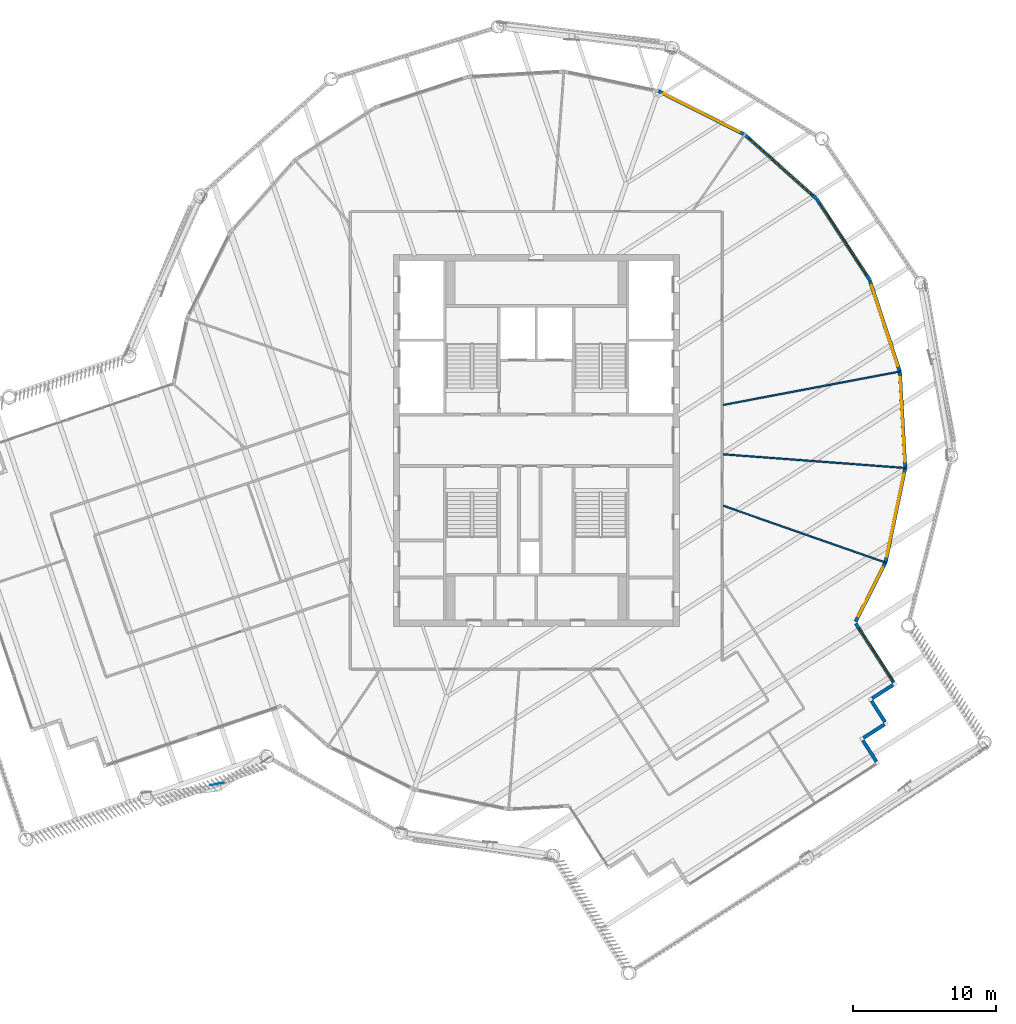
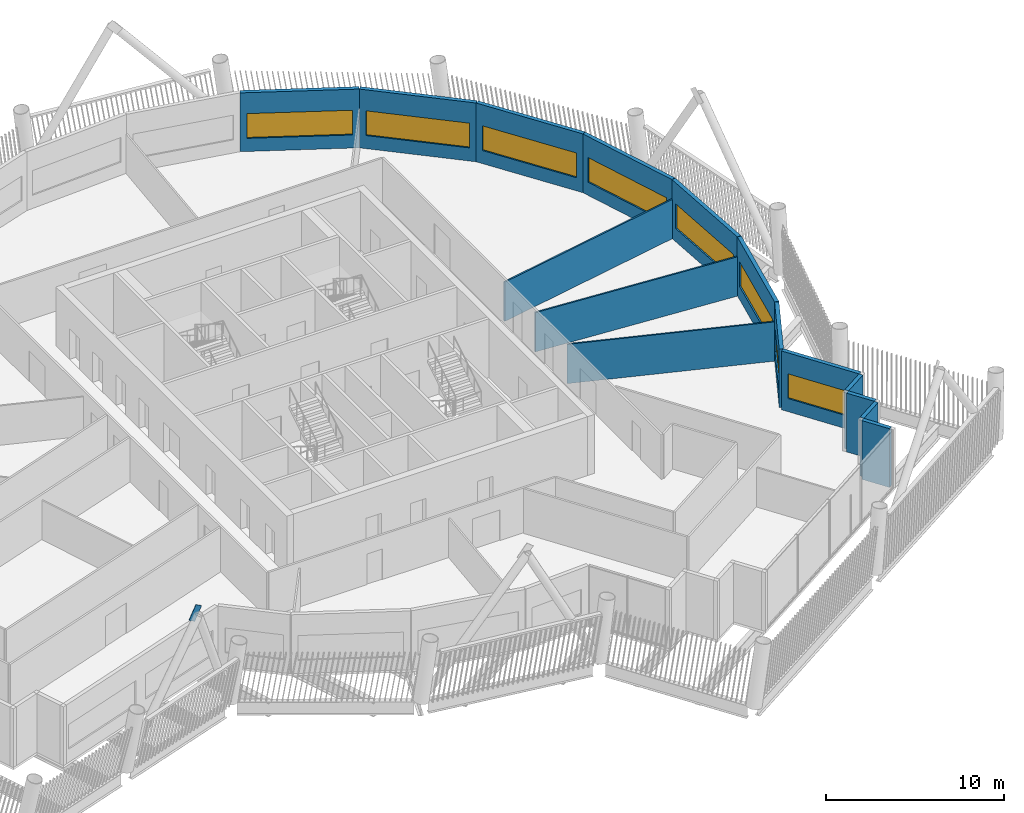
# One storey, part 20 of 35: 15 walls, 8 windows, 1 discrete accessory, 8 openings.
"""IFC4 building model written with IfcOpenShell, lengths in metres."""

import ifcopenshell
import ifcopenshell.guid

model = None  # the IFC model being written
_history = None  # IfcOwnerHistory: only IFC2X3 demands one
_inside = {}  # id of a spatial element -> (the spatial element, [elements in it])
_under = {}  # id of a project, library or spatial element -> (it, [spatial elements below it])
_declared = {}  # id of a project -> (the project, [libraries it declares])
_typed = {}  # id of a type object -> (the type object, [elements of that type])
_made_of = {}  # id of a material, layer set ... -> (it, [elements and type objects made of it])


def new_model(schema):
    """Start an empty IFC model of exactly this schema.

    Asked for "IFC4X3", IfcOpenShell would pick the latest addendum, in which some entities
    have other attributes; the version numbers below select the first issue.
    IFC2X3 requires an IfcOwnerHistory on every rooted entity: one is made here for all.
    """
    global model, _history
    if schema == "IFC4X3":
        model = ifcopenshell.file(schema_version=(4, 3, 0, 0))
    else:
        model = ifcopenshell.file(schema=schema)
    _inside.clear()
    _under.clear()
    _declared.clear()
    _typed.clear()
    _made_of.clear()
    _history = None
    if model.schema == "IFC2X3":
        org = make("IfcOrganization", Name="unknown")
        user = make(
            "IfcPersonAndOrganization",
            ThePerson=make("IfcPerson", FamilyName="unknown"),
            TheOrganization=org,
        )
        app = make(
            "IfcApplication",
            ApplicationDeveloper=org,
            Version="unknown",
            ApplicationFullName="unknown",
            ApplicationIdentifier="unknown",
        )
        _history = make(
            "IfcOwnerHistory",
            OwningUser=user,
            OwningApplication=app,
            ChangeAction="ADDED",
            CreationDate=0,
        )
    return model


def make(cls, **values):
    """One entity of the class cls with the attributes given. An attribute that is None is left unset."""
    return model.create_entity(
        cls, **{name: value for name, value in values.items() if value is not None}
    )


def rooted(cls, **values):
    """An entity with a GlobalId (a new one), such as an element, a storey or a relation."""
    return make(cls, GlobalId=ifcopenshell.guid.new(), OwnerHistory=_history, **values)


def si_unit(unit_type, name, prefix=None):
    """IfcSIUnit, for example si_unit("LENGTHUNIT", "METRE", prefix="MILLI")."""
    return make("IfcSIUnit", UnitType=unit_type, Prefix=prefix, Name=name)


def assignment(units):
    """IfcUnitAssignment: the units of a project."""
    return None if units is None else make("IfcUnitAssignment", Units=units)


def point(xyz):
    """IfcCartesianPoint."""
    return None if xyz is None else make("IfcCartesianPoint", Coordinates=xyz)


def direction(xyz):
    """IfcDirection."""
    return None if xyz is None else make("IfcDirection", DirectionRatios=xyz)


def frame(location, z_axis=None, x_axis=None):
    """IfcAxis2Placement3D, a coordinate frame: its origin and axes. An axis left out is left unset."""
    return make(
        "IfcAxis2Placement3D",
        Location=point(location),
        Axis=direction(z_axis),
        RefDirection=direction(x_axis),
    )


def frame_2d(location, x_axis=None):
    """IfcAxis2Placement2D, a coordinate frame in the plane: its origin and x axis."""
    return make(
        "IfcAxis2Placement2D", Location=point(location), RefDirection=direction(x_axis)
    )


def origin():
    """The frame at (0, 0, 0) with its axes left unset."""
    return frame((0.0, 0.0, 0.0))


def origin_2d():
    """The frame at (0, 0) in the plane with its x axis left unset."""
    return frame_2d((0.0, 0.0))


def place(relative_to, where):
    """IfcLocalPlacement: puts the frame where relative to a parent placement (None: the world)."""
    return make(
        "IfcLocalPlacement", PlacementRelTo=relative_to, RelativePlacement=where
    )


def context(
    kind, dimensions, precision=None, world=None, true_north=None, identifier=None
):
    """IfcGeometricRepresentationContext, for example the 3D "Model" context."""
    return make(
        "IfcGeometricRepresentationContext",
        ContextIdentifier=identifier,
        ContextType=kind,
        CoordinateSpaceDimension=dimensions,
        Precision=precision,
        WorldCoordinateSystem=world,
        TrueNorth=true_north,
    )


def subcontext(parent, identifier, kind, view, scale=None):
    """IfcGeometricRepresentationSubContext, for example "Body" below "Model"."""
    return make(
        "IfcGeometricRepresentationSubContext",
        ContextIdentifier=identifier,
        ContextType=kind,
        ParentContext=parent,
        TargetScale=scale,
        TargetView=view,
    )


def project(units=None, contexts=None):
    """IfcProject with its units and contexts."""
    return rooted(
        "IfcProject",
        Name="project",
        RepresentationContexts=contexts,
        UnitsInContext=assignment(units),
    )


def spatial(cls, under=None, at=None, **own):
    """A site, building, storey or space (cls), placed at a placement, below another one or the project."""
    s = rooted(cls, ObjectPlacement=at, **own)
    if under is not None:
        _under.setdefault(under.id(), (under, []))[1].append(s)
    return s


def profile(cls, at=None, kind="AREA", **sizes):
    """A parametric profile (cls). Its sizes go by their IFC names, for example OverallWidth=200.0."""
    return make(cls, ProfileType=kind, Position=at, **sizes)


def rectangle(**sizes):
    """IfcRectangleProfileDef."""
    return profile("IfcRectangleProfileDef", **sizes)


def extrude(swept, where, along, depth):
    """IfcExtrudedAreaSolid: the profile swept, set in the frame where, extruded along a direction by depth."""
    return make(
        "IfcExtrudedAreaSolid",
        SweptArea=swept,
        Position=where,
        ExtrudedDirection=direction(along),
        Depth=depth,
    )


def shape(context_of_items, identifier, shape_type, items):
    """IfcShapeRepresentation: the items that make up one representation, for example the "Body"."""
    return make(
        "IfcShapeRepresentation",
        ContextOfItems=context_of_items,
        RepresentationIdentifier=identifier,
        RepresentationType=shape_type,
        Items=items,
    )


def material(Name=None, Category=None):
    """IfcMaterial."""
    return make("IfcMaterial", Name=Name, Category=Category)


def layer(
    of_material, thickness, ventilated=None, Name=None, Category=None, Priority=None
):
    """IfcMaterialLayer: one layer of a wall or slab, of a material (None: an air gap)."""
    return make(
        "IfcMaterialLayer",
        Material=of_material,
        LayerThickness=thickness,
        IsVentilated=ventilated,
        Name=Name,
        Category=Category,
        Priority=Priority,
    )


def layer_set(layers, Name=None):
    """IfcMaterialLayerSet."""
    return make("IfcMaterialLayerSet", MaterialLayers=layers, LayerSetName=Name)


def material_profile(
    of_material, cross_section, Name=None, Category=None, Priority=None
):
    """IfcMaterialProfile: a cross section and its material."""
    return make(
        "IfcMaterialProfile",
        Name=Name,
        Material=of_material,
        Profile=cross_section,
        Priority=Priority,
        Category=Category,
    )


def profile_set(profiles, Name=None, composite=None):
    """IfcMaterialProfileSet."""
    return make(
        "IfcMaterialProfileSet",
        Name=Name,
        MaterialProfiles=profiles,
        CompositeProfile=composite,
    )


def made_of(thing, what):
    """Note that an element or type object is made of a material, layer set ...; save() writes the relation."""
    if what is not None:
        _made_of.setdefault(what.id(), (what, []))[1].append(thing)
    return thing


def type_object(cls, material=None, **own):
    """A type object (cls), such as IfcWallType, which elements share."""
    return made_of(rooted(cls, **own), material)


def element(
    cls,
    number,
    at=None,
    inside=None,
    cuts=None,
    type_object=None,
    material=None,
    context=None,
    identifier="Body",
    shape_type=None,
    held_by="IfcProductDefinitionShape",
    body=None,
    shapes=None,
    **own,
):
    """One element of the class cls, such as IfcWall. Its Tag is "e" and its number.

    at: its placement. inside: the storey or other place that contains it. cuts: it is an
    opening in that element (IfcRelVoidsElement). A single representation is given by context,
    identifier, shape_type and body (its items); several are given by shapes. held_by: the class
    of the entity that holds the representations. save() writes the other relations.
    """
    e = rooted(cls, Tag="e%d" % number, ObjectPlacement=at, **own)
    if body is not None:
        shapes = [shape(context, identifier, shape_type, body)]
    if shapes is not None:
        e.Representation = make(held_by, Representations=shapes)
    if inside is not None:
        _inside.setdefault(inside.id(), (inside, []))[1].append(e)
    if cuts is not None:
        rooted(
            "IfcRelVoidsElement", RelatingBuildingElement=cuts, RelatedOpeningElement=e
        )
    if type_object is not None:
        _typed.setdefault(type_object.id(), (type_object, []))[1].append(e)
    return made_of(e, material)


def fill(opening, filler):
    """IfcRelFillsElement: the door or window that sits in an opening."""
    return rooted(
        "IfcRelFillsElement",
        RelatingOpeningElement=opening,
        RelatedBuildingElement=filler,
    )


def aggregate(whole, parts):
    """IfcRelAggregates: a whole, such as a stair, and the parts it consists of."""
    return rooted("IfcRelAggregates", RelatingObject=whole, RelatedObjects=parts)


def save(model, path):
    """Write the relations noted so far, then the file.

    IfcRelAggregates (storeys below a building ...), IfcRelContainedInSpatialStructure (elements
    in a storey), IfcRelDefinesByType, IfcRelAssociatesMaterial and IfcRelDeclares: one each for
    every whole, place, type object, material and project.
    """
    for whole, parts in _under.values():
        aggregate(whole, parts)
    for where, things in _inside.values():
        rooted(
            "IfcRelContainedInSpatialStructure",
            RelatedElements=things,
            RelatingStructure=where,
        )
    for kind, things in _typed.values():
        rooted("IfcRelDefinesByType", RelatedObjects=things, RelatingType=kind)
    for what, things in _made_of.values():
        rooted("IfcRelAssociatesMaterial", RelatedObjects=things, RelatingMaterial=what)
    for by, libraries in _declared.values():
        rooted("IfcRelDeclares", RelatingContext=by, RelatedDefinitions=libraries)
    model.write(path)


model = new_model("IFC4")

# Units and contexts
model_context = context("Model", 3, precision=1e-05, world=origin(), true_north=direction((0.0, 1.0)))
body_context = subcontext(model_context, "Body", "Model", "MODEL_VIEW")
ifc_project = project(units=[si_unit("LENGTHUNIT", "METRE"), si_unit("AREAUNIT", "SQUARE_METRE"), si_unit("VOLUMEUNIT", "CUBIC_METRE"), si_unit("PLANEANGLEUNIT", "RADIAN"), si_unit("MASSUNIT", "GRAM", prefix="KILO")], contexts=[model_context])

# Site, building, storey
site_placement = place(None, origin())
site = spatial("IfcSite", under=ifc_project, at=site_placement, CompositionType="ELEMENT")
building_placement = place(site_placement, origin())
building = spatial("IfcBuilding", under=site, at=building_placement, Name="Tarsis Ring Headquarters", CompositionType="ELEMENT")
storey_placement = place(building_placement, frame((0.0, 0.0, 360.800048828125)))
storey = spatial("IfcBuildingStorey", under=building, at=storey_placement, Name="L85", CompositionType="ELEMENT", Elevation=360.800048828125)

# Walls
ifc_material_1 = material(Name="Gypsum board on steel studs", Category="steel")
ifc_layer_1 = layer(ifc_material_1, 0.10009765625)
ifc_layer_set_1 = layer_set([ifc_layer_1], Name="FL partition 100 unrated")
wall_type_1 = type_object("IfcWallType", Name="FL partition 100 unrated", PredefinedType="PARTITIONING", material=ifc_layer_set_1)
wall_1_placement = place(storey_placement, frame((13.06982421875, -0.97802734375, 0.0), z_axis=(0.0, 0.0, 1.0), x_axis=(0.997210500227, -0.07464059376, 0.0)))
element("IfcWall", 1, at=wall_1_placement, inside=storey, type_object=wall_type_1, Name="Partition PW3", PredefinedType="PARTITIONING", context=body_context, shape_type="SweptSolid", body=[
    extrude(rectangle(XDim=12.841552734375, YDim=0.10009765625, at=frame_2d((6.4208984375, 0.0))), origin(), (0.0, 0.0, 1.0), 2.699951171875),
])
wall_2_placement = place(storey_placement, frame((13.06884765625, 2.47412109375, 0.0), z_axis=(0.0, 0.0, 1.0), x_axis=(0.982550323137, 0.185996942187, 0.0)))
element("IfcWall", 2, at=wall_2_placement, inside=storey, type_object=wall_type_1, Name="Partition PW3", PredefinedType="PARTITIONING", context=body_context, shape_type="SweptSolid", body=[
    extrude(rectangle(XDim=12.64697265625, YDim=0.10009765625, at=frame_2d((6.323486328125, 0.0))), origin(), (0.0, 0.0, 1.0), 2.699951171875),
])
wall_3_placement = place(storey_placement, frame((13.075439453125, -4.573974609375, 0.0), z_axis=(0.0, 0.0, 1.0), x_axis=(0.943919702213, -0.330175098659, 0.0)))
element("IfcWall", 3, at=wall_3_placement, inside=storey, type_object=wall_type_1, Name="Partition PW3", PredefinedType="PARTITIONING", context=body_context, shape_type="SweptSolid", body=[
    extrude(rectangle(XDim=12.095458984375, YDim=0.10009765625, at=frame_2d((6.0478515625, 0.0))), origin(), (0.0, 0.0, 1.0), 2.699951171875),
])
ifc_material_2 = material(Name="Terracotta clad insulated panel wall", Category="masonry")
ifc_layer_2 = layer(ifc_material_2, 0.25)
ifc_layer_set_2 = layer_set([ifc_layer_2], Name="Facade wall terracotta panel 250")
wall_type_2 = type_object("IfcWallType", Name="Facade wall terracotta panel 250", PredefinedType="STANDARD", material=ifc_layer_set_2)
for number, where, z_axis, x_axis, name in (
    (4, (23.787353515625, -22.455322265625, 0.0), (0.0, 0.0, 1.0), (-0.540454365307, 0.84137332916, 0.0), "External wall L85-12"),
    (5, (22.879150390625, -20.810302734375, 0.0), (0.0, 0.0, 1.0), (0.84126912244, 0.540616558782, 0.0), "External wall L85-13"),
    (6, (24.388916015625, -19.691650390625, 0.0), (0.0, 0.0, 1.0), (-0.540454365307, 0.84137332916, 0.0), "External wall L85-14"),
    (7, (23.480712890625, -18.046630859375, 0.0), (0.0, 0.0, 1.0), (0.84126912244, 0.540616558782, 0.0), "External wall L85-15"),
):
    element("IfcWall", number, at=place(storey_placement, frame(where, z_axis=z_axis, x_axis=x_axis)), inside=storey, type_object=wall_type_2, Name=name, PredefinedType="STANDARD", context=body_context, shape_type="SweptSolid", body=[
        extrude(rectangle(XDim=1.75, YDim=0.25, at=frame_2d((0.875, 0.0))), origin(), (0.0, 0.0, 1.0), 4.0400390625),
    ])

# Wall, opening, window
wall_4_placement = place(storey_placement, frame((24.990478515625, -16.927734375, 0.0), z_axis=(0.0, 0.0, 1.0), x_axis=(-0.540515879264, 0.841333812623, 0.0)))
wall_4 = element("IfcWall", 8, at=wall_4_placement, inside=storey, type_object=wall_type_2, Name="External wall L85-16", PredefinedType="STANDARD", context=body_context, shape_type="SweptSolid", body=[
    extrude(rectangle(XDim=4.901123046875, YDim=0.25, at=frame_2d((2.45068359375, 0.0))), origin(), (0.0, 0.0, 1.0), 4.0400390625),
])
opening_1_placement = place(wall_4_placement, frame((0.150634765625, 0.0, 0.89990234375)))
opening_1 = element("IfcOpeningElement", 9, at=opening_1_placement, cuts=wall_4, Name="Opening WN03", PredefinedType="OPENING", context=body_context, shape_type="SweptSolid", body=[
    extrude(rectangle(XDim=4.35009765625, YDim=1.699951171875, at=frame_2d((2.175048828125, 0.85009765625))), frame((0.0, 0.135009765625, 0.0), z_axis=(0.0, -1.0, 0.0), x_axis=(1.0, 0.0, 0.0)), (0.0, 0.0, 1.0), 0.27001953125),
])
ifc_material_3 = material(Name="Aluminium framed double glazing", Category="aluminium")
window_type_1 = type_object("IfcWindowType", Name="Facade window 4350 x 1700", PartitioningType="SINGLE_PANEL", PredefinedType="WINDOW", material=ifc_material_3)
window_1_placement = place(opening_1_placement, origin())
window_1 = element("IfcWindow", 10, at=window_1_placement, inside=storey, type_object=window_type_1, Name="Window L85-16.1", OverallHeight=1.699951171875, OverallWidth=4.35009765625, PartitioningType="SINGLE_PANEL", PredefinedType="WINDOW", context=body_context, shape_type="SweptSolid", body=[
    extrude(rectangle(XDim=4.35009765625, YDim=1.699951171875, at=frame_2d((2.175048828125, 0.85009765625))), frame((0.0, 0.030029296875, 0.0), z_axis=(0.0, -1.0, 0.0), x_axis=(1.0, 0.0, 0.0)), (0.0, 0.0, 1.0), 0.06005859375),
])
fill(opening_1, window_1)

wall_5_placement = place(storey_placement, frame((22.334716796875, -12.680419921875, 0.0), z_axis=(0.0, 0.0, 1.0), x_axis=(0.450551811978, 0.892750281279, 0.0)))
wall_5 = element("IfcWall", 11, at=wall_5_placement, inside=storey, type_object=wall_type_2, Name="External wall L85-17", PredefinedType="STANDARD", context=body_context, shape_type="SweptSolid", body=[
    extrude(rectangle(XDim=4.617919921875, YDim=0.25, at=frame_2d((2.30908203125, 0.0))), origin(), (0.0, 0.0, 1.0), 4.0400390625),
])
opening_2_placement = place(wall_5_placement, frame((0.400390625, 0.0, 0.89990234375)))
opening_2 = element("IfcOpeningElement", 12, at=opening_2_placement, cuts=wall_5, Name="Opening WN02", PredefinedType="OPENING", context=body_context, shape_type="SweptSolid", body=[
    extrude(rectangle(XDim=3.85009765625, YDim=1.699951171875, at=frame_2d((1.925048828125, 0.85009765625))), frame((0.0, 0.135009765625, 0.0), z_axis=(0.0, -1.0, 0.0), x_axis=(1.0, 0.0, 0.0)), (0.0, 0.0, 1.0), 0.27001953125),
])
window_type_2 = type_object("IfcWindowType", Name="Facade window 3850 x 1700", PartitioningType="SINGLE_PANEL", PredefinedType="WINDOW", material=ifc_material_3)
window_2_placement = place(opening_2_placement, origin())
window_2 = element("IfcWindow", 13, at=window_2_placement, inside=storey, type_object=window_type_2, Name="Window L85-17.1", OverallHeight=1.699951171875, OverallWidth=3.85009765625, PartitioningType="SINGLE_PANEL", PredefinedType="WINDOW", context=body_context, shape_type="SweptSolid", body=[
    extrude(rectangle(XDim=3.85009765625, YDim=1.699951171875, at=frame_2d((1.925048828125, 0.85009765625))), frame((0.0, 0.030029296875, 0.0), z_axis=(0.0, -1.0, 0.0), x_axis=(1.0, 0.0, 0.0)), (0.0, 0.0, 1.0), 0.06005859375),
])
fill(opening_2, window_2)

wall_6_placement = place(storey_placement, frame((24.42626953125, -8.527099609375, 0.0), z_axis=(0.0, 0.0, 1.0), x_axis=(0.204128305258, 0.978944142938, 0.0)))
wall_6 = element("IfcWall", 14, at=wall_6_placement, inside=storey, type_object=wall_type_2, Name="External wall L85-18", PredefinedType="STANDARD", context=body_context, shape_type="SweptSolid", body=[
    extrude(rectangle(XDim=6.7216796875, YDim=0.25, at=frame_2d((3.36083984375, 0.0))), origin(), (0.0, 0.0, 1.0), 4.0400390625),
])
opening_3_placement = place(wall_6_placement, frame((0.3857421875, 0.0, 0.89990234375)))
opening_3 = element("IfcOpeningElement", 15, at=opening_3_placement, cuts=wall_6, Name="Opening WN07", PredefinedType="OPENING", context=body_context, shape_type="SweptSolid", body=[
    extrude(rectangle(XDim=5.949951171875, YDim=1.699951171875, at=frame_2d((2.97509765625, 0.85009765625))), frame((0.0, 0.135009765625, 0.0), z_axis=(0.0, -1.0, 0.0), x_axis=(1.0, 0.0, 0.0)), (0.0, 0.0, 1.0), 0.27001953125),
])
window_type_3 = type_object("IfcWindowType", Name="Facade window 5950 x 1700", PartitioningType="SINGLE_PANEL", PredefinedType="WINDOW", material=ifc_material_3)
window_3_placement = place(opening_3_placement, origin())
window_3 = element("IfcWindow", 16, at=window_3_placement, inside=storey, type_object=window_type_3, Name="Window L85-18.1", OverallHeight=1.699951171875, OverallWidth=5.949951171875, PartitioningType="SINGLE_PANEL", PredefinedType="WINDOW", context=body_context, shape_type="SweptSolid", body=[
    extrude(rectangle(XDim=5.949951171875, YDim=1.699951171875, at=frame_2d((2.97509765625, 0.85009765625))), frame((0.0, 0.030029296875, 0.0), z_axis=(0.0, -1.0, 0.0), x_axis=(1.0, 0.0, 0.0)), (0.0, 0.0, 1.0), 0.06005859375),
])
fill(opening_3, window_3)

wall_7_placement = place(storey_placement, frame((25.80078125, -1.91455078125, 0.0), z_axis=(0.0, 0.0, 1.0), x_axis=(-0.056153979852, 0.998422120421, 0.0)))
wall_7 = element("IfcWall", 17, at=wall_7_placement, inside=storey, type_object=wall_type_2, Name="External wall L85-19", PredefinedType="STANDARD", context=body_context, shape_type="SweptSolid", body=[
    extrude(rectangle(XDim=6.721435546875, YDim=0.25, at=frame_2d((3.36083984375, 0.0))), origin(), (0.0, 0.0, 1.0), 4.0400390625),
])
opening_4_placement = place(wall_7_placement, frame((0.3857421875, 0.0, 0.89990234375)))
opening_4 = element("IfcOpeningElement", 18, at=opening_4_placement, cuts=wall_7, Name="Opening WN07", PredefinedType="OPENING", context=body_context, shape_type="SweptSolid", body=[
    extrude(rectangle(XDim=5.949951171875, YDim=1.699951171875, at=frame_2d((2.97509765625, 0.85009765625))), frame((0.0, 0.135009765625, 0.0), z_axis=(0.0, -1.0, 0.0), x_axis=(1.0, 0.0, 0.0)), (0.0, 0.0, 1.0), 0.27001953125),
])
window_4_placement = place(opening_4_placement, origin())
window_4 = element("IfcWindow", 19, at=window_4_placement, inside=storey, type_object=window_type_3, Name="Window L85-19.1", OverallHeight=1.699951171875, OverallWidth=5.949951171875, PartitioningType="SINGLE_PANEL", PredefinedType="WINDOW", context=body_context, shape_type="SweptSolid", body=[
    extrude(rectangle(XDim=5.949951171875, YDim=1.699951171875, at=frame_2d((2.97509765625, 0.85009765625))), frame((0.0, 0.030029296875, 0.0), z_axis=(0.0, -1.0, 0.0), x_axis=(1.0, 0.0, 0.0)), (0.0, 0.0, 1.0), 0.06005859375),
])
fill(opening_4, window_4)

wall_8_placement = place(storey_placement, frame((25.417236328125, 4.828369140625, 0.0), z_axis=(0.0, 0.0, 1.0), x_axis=(-0.312662318286, 0.949864345433, 0.0)))
wall_8 = element("IfcWall", 20, at=wall_8_placement, inside=storey, type_object=wall_type_2, Name="External wall L85-20", PredefinedType="STANDARD", context=body_context, shape_type="SweptSolid", body=[
    extrude(rectangle(XDim=6.721435546875, YDim=0.25, at=frame_2d((3.36083984375, 0.0))), origin(), (0.0, 0.0, 1.0), 4.0400390625),
])
opening_5_placement = place(wall_8_placement, frame((0.3857421875, 0.0, 0.89990234375)))
opening_5 = element("IfcOpeningElement", 21, at=opening_5_placement, cuts=wall_8, Name="Opening WN07", PredefinedType="OPENING", context=body_context, shape_type="SweptSolid", body=[
    extrude(rectangle(XDim=5.949951171875, YDim=1.699951171875, at=frame_2d((2.97509765625, 0.85009765625))), frame((0.0, 0.135009765625, 0.0), z_axis=(0.0, -1.0, 0.0), x_axis=(1.0, 0.0, 0.0)), (0.0, 0.0, 1.0), 0.27001953125),
])
window_5_placement = place(opening_5_placement, origin())
window_5 = element("IfcWindow", 22, at=window_5_placement, inside=storey, type_object=window_type_3, Name="Window L85-20.1", OverallHeight=1.699951171875, OverallWidth=5.949951171875, PartitioningType="SINGLE_PANEL", PredefinedType="WINDOW", context=body_context, shape_type="SweptSolid", body=[
    extrude(rectangle(XDim=5.949951171875, YDim=1.699951171875, at=frame_2d((2.97509765625, 0.85009765625))), frame((0.0, 0.030029296875, 0.0), z_axis=(0.0, -1.0, 0.0), x_axis=(1.0, 0.0, 0.0)), (0.0, 0.0, 1.0), 0.06005859375),
])
fill(opening_5, window_5)

wall_9_placement = place(storey_placement, frame((23.301513671875, 11.242431640625, 0.0), z_axis=(0.0, 0.0, 1.0), x_axis=(-0.547850102884, 0.836576514594, 0.0)))
wall_9 = element("IfcWall", 23, at=wall_9_placement, inside=storey, type_object=wall_type_2, Name="External wall L85-21", PredefinedType="STANDARD", context=body_context, shape_type="SweptSolid", body=[
    extrude(rectangle(XDim=6.721435546875, YDim=0.25, at=frame_2d((3.36083984375, 0.0))), origin(), (0.0, 0.0, 1.0), 4.0400390625),
])
opening_6_placement = place(wall_9_placement, frame((0.3857421875, 0.0, 0.89990234375)))
opening_6 = element("IfcOpeningElement", 24, at=opening_6_placement, cuts=wall_9, Name="Opening WN07", PredefinedType="OPENING", context=body_context, shape_type="SweptSolid", body=[
    extrude(rectangle(XDim=5.949951171875, YDim=1.699951171875, at=frame_2d((2.97509765625, 0.85009765625))), frame((0.0, 0.135009765625, 0.0), z_axis=(0.0, -1.0, 0.0), x_axis=(1.0, 0.0, 0.0)), (0.0, 0.0, 1.0), 0.27001953125),
])
window_6_placement = place(opening_6_placement, origin())
window_6 = element("IfcWindow", 25, at=window_6_placement, inside=storey, type_object=window_type_3, Name="Window L85-21.1", OverallHeight=1.699951171875, OverallWidth=5.949951171875, PartitioningType="SINGLE_PANEL", PredefinedType="WINDOW", context=body_context, shape_type="SweptSolid", body=[
    extrude(rectangle(XDim=5.949951171875, YDim=1.699951171875, at=frame_2d((2.97509765625, 0.85009765625))), frame((0.0, 0.030029296875, 0.0), z_axis=(0.0, -1.0, 0.0), x_axis=(1.0, 0.0, 0.0)), (0.0, 0.0, 1.0), 0.06005859375),
])
fill(opening_6, window_6)

wall_10_placement = place(storey_placement, frame((19.59765625, 16.89013671875, 0.0), z_axis=(0.0, 0.0, 1.0), x_axis=(-0.745709471793, 0.666271253828, 0.0)))
wall_10 = element("IfcWall", 26, at=wall_10_placement, inside=storey, type_object=wall_type_2, Name="External wall L85-22", PredefinedType="STANDARD", context=body_context, shape_type="SweptSolid", body=[
    extrude(rectangle(XDim=6.721435546875, YDim=0.25, at=frame_2d((3.36083984375, 0.0))), origin(), (0.0, 0.0, 1.0), 4.0400390625),
])
opening_7_placement = place(wall_10_placement, frame((0.3857421875, 0.0, 0.89990234375)))
opening_7 = element("IfcOpeningElement", 27, at=opening_7_placement, cuts=wall_10, Name="Opening WN07", PredefinedType="OPENING", context=body_context, shape_type="SweptSolid", body=[
    extrude(rectangle(XDim=5.949951171875, YDim=1.699951171875, at=frame_2d((2.97509765625, 0.85009765625))), frame((0.0, 0.135009765625, 0.0), z_axis=(0.0, -1.0, 0.0), x_axis=(1.0, 0.0, 0.0)), (0.0, 0.0, 1.0), 0.27001953125),
])
window_7_placement = place(opening_7_placement, origin())
window_7 = element("IfcWindow", 28, at=window_7_placement, inside=storey, type_object=window_type_3, Name="Window L85-22.1", OverallHeight=1.699951171875, OverallWidth=5.949951171875, PartitioningType="SINGLE_PANEL", PredefinedType="WINDOW", context=body_context, shape_type="SweptSolid", body=[
    extrude(rectangle(XDim=5.949951171875, YDim=1.699951171875, at=frame_2d((2.97509765625, 0.85009765625))), frame((0.0, 0.030029296875, 0.0), z_axis=(0.0, -1.0, 0.0), x_axis=(1.0, 0.0, 0.0)), (0.0, 0.0, 1.0), 0.06005859375),
])
fill(opening_7, window_7)

wall_11_placement = place(storey_placement, frame((14.55859375, 21.386962890625, 0.0), z_axis=(0.0, 0.0, 1.0), x_axis=(-0.892757457146, 0.450537593004, 0.0)))
wall_11 = element("IfcWall", 29, at=wall_11_placement, inside=storey, type_object=wall_type_2, Name="External wall L85-23", PredefinedType="STANDARD", context=body_context, shape_type="SweptSolid", body=[
    extrude(rectangle(XDim=6.7216796875, YDim=0.25, at=frame_2d((3.36083984375, 0.0))), origin(), (0.0, 0.0, 1.0), 4.0400390625),
])
opening_8_placement = place(wall_11_placement, frame((0.3857421875, 0.0, 0.89990234375)))
opening_8 = element("IfcOpeningElement", 30, at=opening_8_placement, cuts=wall_11, Name="Opening WN07", PredefinedType="OPENING", context=body_context, shape_type="SweptSolid", body=[
    extrude(rectangle(XDim=5.949951171875, YDim=1.699951171875, at=frame_2d((2.97509765625, 0.85009765625))), frame((0.0, 0.135009765625, 0.0), z_axis=(0.0, -1.0, 0.0), x_axis=(1.0, 0.0, 0.0)), (0.0, 0.0, 1.0), 0.27001953125),
])
window_8_placement = place(opening_8_placement, origin())
window_8 = element("IfcWindow", 31, at=window_8_placement, inside=storey, type_object=window_type_3, Name="Window L85-23.1", OverallHeight=1.699951171875, OverallWidth=5.949951171875, PartitioningType="SINGLE_PANEL", PredefinedType="WINDOW", context=body_context, shape_type="SweptSolid", body=[
    extrude(rectangle(XDim=5.949951171875, YDim=1.699951171875, at=frame_2d((2.97509765625, 0.85009765625))), frame((0.0, 0.030029296875, 0.0), z_axis=(0.0, -1.0, 0.0), x_axis=(1.0, 0.0, 0.0)), (0.0, 0.0, 1.0), 0.06005859375),
])
fill(opening_8, window_8)

# Discrete accessory
ifc_material_4 = material(Name="Structural steel S355", Category="steel")
ifc_material_profile = material_profile(ifc_material_4, rectangle(XDim=0.02490234375, YDim=0.5, at=origin_2d()), Name="PL 25x500")
ifc_profile_set = profile_set([ifc_material_profile], Name="Structural steel S355")
discrete_accessory_type = type_object("IfcDiscreteAccessoryType", Name="Gusset plate Exo brace 25", PredefinedType="BRACKET", material=ifc_profile_set)
discrete_accessory_placement = place(storey_placement, frame((-22.575439453125, -24.077880859375, 7.97216796875), z_axis=(0.508838546899, 0.095468268636, 0.855551952176), x_axis=(-0.184402433883, 0.982850824072, 0.0)))
element("IfcDiscreteAccessory", 32, at=discrete_accessory_placement, inside=storey, type_object=discrete_accessory_type, Name="Gusset plate GP5", PredefinedType="BRACKET", context=body_context, shape_type="SweptSolid", body=[
    extrude(rectangle(XDim=0.02490234375, YDim=0.5, at=origin_2d()), origin(), (0.0, 0.0, 1.0), 1.0),
])

save(model, "model.ifc")
